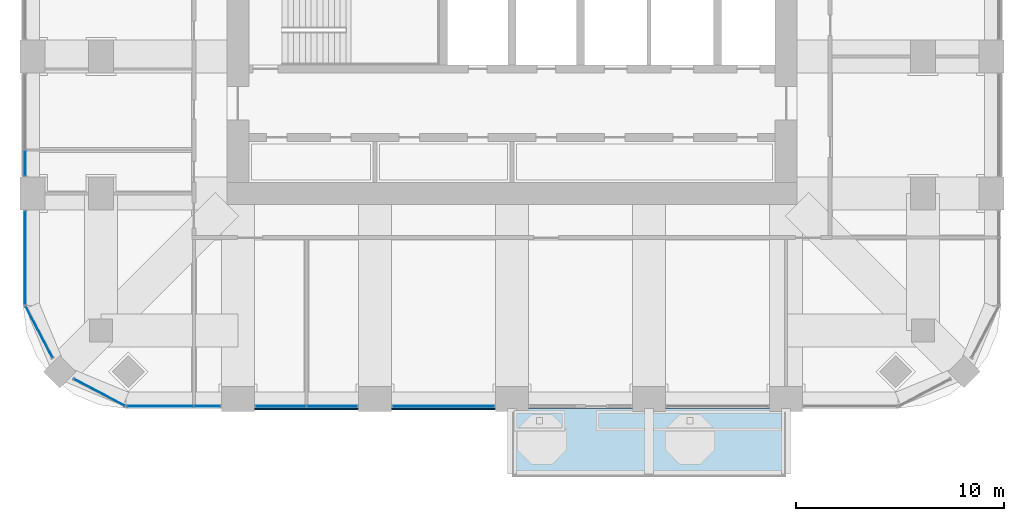
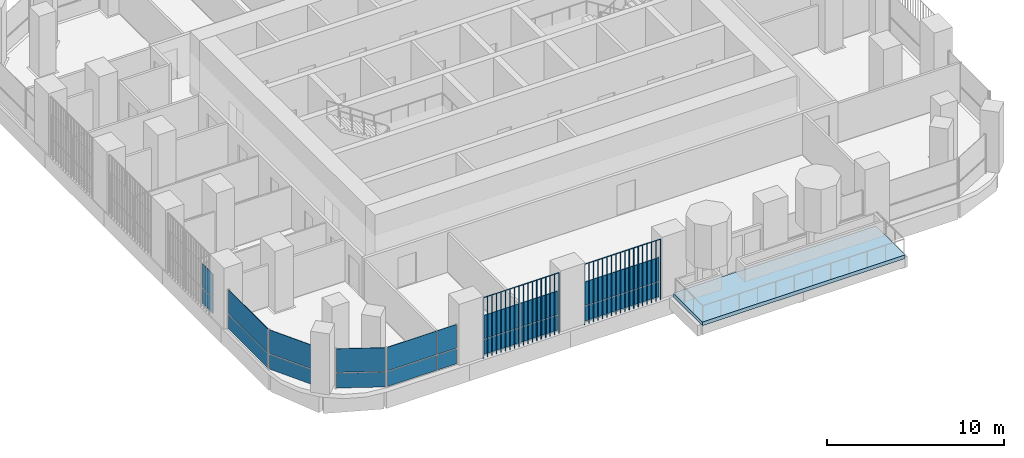
# One storey, part 8 of 19: 20 plates, 1 slab, 7 elements without a shape of their own.
"""IFC4 building model written with IfcOpenShell, lengths in metres."""

from ifc_helpers import new_model, si_unit, direction, frame, origin, origin_2d, place, context, subcontext, project, spatial, polyline, rectangle, outline, extrude, material, layer, layer_set, type_object, element, aggregate, save


model = new_model("IFC4")

# Units and contexts
model_context = context("Model", 3, precision=1e-05, world=origin(), true_north=direction((0.0, 1.0)))
body_context = subcontext(model_context, "Body", "Model", "MODEL_VIEW")
ifc_project = project(units=[si_unit("LENGTHUNIT", "METRE"), si_unit("AREAUNIT", "SQUARE_METRE"), si_unit("VOLUMEUNIT", "CUBIC_METRE"), si_unit("PLANEANGLEUNIT", "RADIAN"), si_unit("MASSUNIT", "GRAM", prefix="KILO")], contexts=[model_context])

# Site, building, storey
site_placement = place(None, origin())
site = spatial("IfcSite", under=ifc_project, at=site_placement, CompositionType="ELEMENT")
building_placement = place(site_placement, origin())
building = spatial("IfcBuilding", under=site, at=building_placement, Name="Cobogo Forest Laboratory Tower", CompositionType="ELEMENT")
storey_placement = place(building_placement, frame((0.0, 0.0, 206.10009765625)))
storey = spatial("IfcBuildingStorey", under=building, at=storey_placement, Name="L47", CompositionType="ELEMENT", Elevation=206.10009765625)

# Slab
ifc_material_1 = material(Name="Concrete HA-40 (C40/50)", Category="concrete")
ifc_layer_1 = layer(ifc_material_1, 0.25)
ifc_layer_set_1 = layer_set([ifc_layer_1], Name="Balcony slab 250")
slab_type = type_object("IfcSlabType", Name="Balcony slab 250", PredefinedType="FLOOR", material=ifc_layer_set_1)
slab_placement = place(storey_placement, frame((0.0, 0.0, -0.25)))
element("IfcSlab", 1, at=slab_placement, inside=storey, type_object=slab_type, Name="Balcony BAL-S1 L47", PredefinedType="FLOOR", context=body_context, shape_type="SweptSolid", body=[
    extrude(outline(polyline([(26.39990234375, -0.449951171875), (39.60009765625, -0.449951171875), (39.60009765625, 2.85009765625), (26.39990234375, 2.85009765625), (26.39990234375, -0.449951171875)])), origin(), (0.0, 0.0, 1.0), 0.25),
])

# Curtain wall, plates
ifc_material_2 = material(Name="Aluminium curtain wall", Category="aluminium")
curtain_wall_type = type_object("IfcCurtainWallType", Name="CW-2 unitised curtain wall, solar control glazing, laboratory floors zones C and D", PredefinedType="USERDEFINED", material=ifc_material_2)
curtain_wall_1_placement = place(storey_placement, origin())
curtain_wall_1 = element("IfcCurtainWall", 2, at=curtain_wall_1_placement, inside=storey, type_object=curtain_wall_type, Name="Curtain wall 01 L47", ObjectType="UNITISED CURTAIN WALL", PredefinedType="USERDEFINED")
ifc_material_3 = material(Name="Solar control insulated glass", Category="glass")
ifc_layer_2 = layer(ifc_material_3, 0.031982421875)
ifc_layer_set_2 = layer_set([ifc_layer_2], Name="GP-2 solar control glass unit 32")
plate_type_1 = type_object("IfcPlateType", Name="GP-2 solar control glass unit 32", PredefinedType="CURTAIN_PANEL", material=ifc_layer_set_2)
plate_1_placement = place(storey_placement, frame((9.452392578125, 2.949951171875, 0.0), z_axis=(0.0, 0.0, 1.0), x_axis=(1.0, 0.0, 0.0)))
plate_1 = element("IfcPlate", 3, at=plate_1_placement, type_object=plate_type_1, Name="CW-2 panel 1.1", PredefinedType="CURTAIN_PANEL", context=body_context, shape_type="SweptSolid", body=[
    extrude(rectangle(XDim=3.18505859375, YDim=0.031982421875, at=origin_2d()), origin(), (0.0, 0.0, 1.0), 1.02001953125),
])
plate_2_placement = place(storey_placement, frame((9.452392578125, 2.949951171875, 1.079833984375), z_axis=(0.0, 0.0, 1.0), x_axis=(1.0, 0.0, 0.0)))
plate_2 = element("IfcPlate", 4, at=plate_2_placement, type_object=plate_type_1, Name="CW-2 panel 1.2", PredefinedType="CURTAIN_PANEL", context=body_context, shape_type="SweptSolid", body=[
    extrude(rectangle(XDim=3.18505859375, YDim=0.031982421875, at=origin_2d()), origin(), (0.0, 0.0, 1.0), 1.6201171875),
])
plate_3_placement = place(storey_placement, frame((11.722412109375, 2.949951171875, 0.0), z_axis=(0.0, 0.0, 1.0), x_axis=(1.0, 0.0, 0.0)))
plate_3 = element("IfcPlate", 5, at=plate_3_placement, type_object=plate_type_1, Name="CW-2 panel 2.1", PredefinedType="CURTAIN_PANEL", context=body_context, shape_type="SweptSolid", body=[
    extrude(rectangle(XDim=1.235107421875, YDim=0.031982421875, at=origin_2d()), origin(), (0.0, 0.0, 1.0), 1.02001953125),
])
plate_4_placement = place(storey_placement, frame((11.722412109375, 2.949951171875, 1.079833984375), z_axis=(0.0, 0.0, 1.0), x_axis=(1.0, 0.0, 0.0)))
plate_4 = element("IfcPlate", 6, at=plate_4_placement, type_object=plate_type_1, Name="CW-2 panel 2.2", PredefinedType="CURTAIN_PANEL", context=body_context, shape_type="SweptSolid", body=[
    extrude(rectangle(XDim=1.235107421875, YDim=0.031982421875, at=origin_2d()), origin(), (0.0, 0.0, 1.0), 1.6201171875),
])
aggregate(curtain_wall_1, [plate_1, plate_2, plate_3, plate_4])

curtain_wall_2_placement = place(storey_placement, origin())
curtain_wall_2 = element("IfcCurtainWall", 7, at=curtain_wall_2_placement, inside=storey, type_object=curtain_wall_type, Name="Curtain wall 02 L47", ObjectType="UNITISED CURTAIN WALL", PredefinedType="USERDEFINED")
plate_5_placement = place(storey_placement, frame((15.264892578125, 2.949951171875, 0.0), z_axis=(0.0, 0.0, 1.0), x_axis=(1.0, 0.0, 0.0)))
plate_5 = element("IfcPlate", 8, at=plate_5_placement, type_object=plate_type_1, Name="CW-2 panel 1.1", PredefinedType="CURTAIN_PANEL", context=body_context, shape_type="SweptSolid", body=[
    extrude(rectangle(XDim=2.409912109375, YDim=0.031982421875, at=origin_2d()), origin(), (0.0, 0.0, 1.0), 1.02001953125),
])
plate_6_placement = place(storey_placement, frame((15.264892578125, 2.949951171875, 1.079833984375), z_axis=(0.0, 0.0, 1.0), x_axis=(1.0, 0.0, 0.0)))
plate_6 = element("IfcPlate", 9, at=plate_6_placement, type_object=plate_type_1, Name="CW-2 panel 1.2", PredefinedType="CURTAIN_PANEL", context=body_context, shape_type="SweptSolid", body=[
    extrude(rectangle(XDim=2.409912109375, YDim=0.031982421875, at=origin_2d()), origin(), (0.0, 0.0, 1.0), 1.6201171875),
])
plate_7_placement = place(storey_placement, frame((17.735107421875, 2.949951171875, 0.0), z_axis=(0.0, 0.0, 1.0), x_axis=(1.0, 0.0, 0.0)))
plate_7 = element("IfcPlate", 10, at=plate_7_placement, type_object=plate_type_1, Name="CW-2 panel 2.1", PredefinedType="CURTAIN_PANEL", context=body_context, shape_type="SweptSolid", body=[
    extrude(rectangle(XDim=2.409912109375, YDim=0.031982421875, at=origin_2d()), origin(), (0.0, 0.0, 1.0), 1.02001953125),
])
plate_8_placement = place(storey_placement, frame((17.735107421875, 2.949951171875, 1.079833984375), z_axis=(0.0, 0.0, 1.0), x_axis=(1.0, 0.0, 0.0)))
plate_8 = element("IfcPlate", 11, at=plate_8_placement, type_object=plate_type_1, Name="CW-2 panel 2.2", PredefinedType="CURTAIN_PANEL", context=body_context, shape_type="SweptSolid", body=[
    extrude(rectangle(XDim=2.409912109375, YDim=0.031982421875, at=origin_2d()), origin(), (0.0, 0.0, 1.0), 1.6201171875),
])
aggregate(curtain_wall_2, [plate_5, plate_6, plate_7, plate_8])

curtain_wall_3_placement = place(storey_placement, origin())
curtain_wall_3 = element("IfcCurtainWall", 12, at=curtain_wall_3_placement, inside=storey, type_object=curtain_wall_type, Name="Curtain wall 03 L47", ObjectType="UNITISED CURTAIN WALL", PredefinedType="USERDEFINED")
plate_9_placement = place(storey_placement, frame((23.10009765625, 2.949951171875, 0.0), z_axis=(0.0, 0.0, 1.0), x_axis=(1.0, 0.0, 0.0)))
plate_9 = element("IfcPlate", 13, at=plate_9_placement, type_object=plate_type_1, Name="CW-2 panel 1.1", PredefinedType="CURTAIN_PANEL", context=body_context, shape_type="SweptSolid", body=[
    extrude(rectangle(XDim=4.8798828125, YDim=0.031982421875, at=origin_2d()), origin(), (0.0, 0.0, 1.0), 1.02001953125),
])
plate_10_placement = place(storey_placement, frame((23.10009765625, 2.949951171875, 1.079833984375), z_axis=(0.0, 0.0, 1.0), x_axis=(1.0, 0.0, 0.0)))
plate_10 = element("IfcPlate", 14, at=plate_10_placement, type_object=plate_type_1, Name="CW-2 panel 1.2", PredefinedType="CURTAIN_PANEL", context=body_context, shape_type="SweptSolid", body=[
    extrude(rectangle(XDim=4.8798828125, YDim=0.031982421875, at=origin_2d()), origin(), (0.0, 0.0, 1.0), 1.6201171875),
])
aggregate(curtain_wall_3, [plate_9, plate_10])

curtain_wall_4_placement = place(storey_placement, origin())
curtain_wall_4 = element("IfcCurtainWall", 15, at=curtain_wall_4_placement, inside=storey, type_object=curtain_wall_type, Name="Curtain wall 27 L47", ObjectType="UNITISED CURTAIN WALL", PredefinedType="USERDEFINED")
plate_11_placement = place(storey_placement, frame((2.949951171875, 14.6650390625, 0.0), z_axis=(0.0, 0.0, 1.0), x_axis=(0.0, -1.0, 0.0)))
plate_11 = element("IfcPlate", 16, at=plate_11_placement, type_object=plate_type_1, Name="CW-2 panel 2.1", PredefinedType="CURTAIN_PANEL", context=body_context, shape_type="SweptSolid", body=[
    extrude(rectangle(XDim=1.2099609375, YDim=0.031982421875, at=origin_2d()), origin(), (0.0, 0.0, 1.0), 1.02001953125),
])
plate_12_placement = place(storey_placement, frame((2.949951171875, 14.6650390625, 1.079833984375), z_axis=(0.0, 0.0, 1.0), x_axis=(0.0, -1.0, 0.0)))
plate_12 = element("IfcPlate", 17, at=plate_12_placement, type_object=plate_type_1, Name="CW-2 panel 2.2", PredefinedType="CURTAIN_PANEL", context=body_context, shape_type="SweptSolid", body=[
    extrude(rectangle(XDim=1.2099609375, YDim=0.031982421875, at=origin_2d()), origin(), (0.0, 0.0, 1.0), 1.6201171875),
])
aggregate(curtain_wall_4, [plate_11, plate_12])

curtain_wall_5_placement = place(storey_placement, origin())
curtain_wall_5 = element("IfcCurtainWall", 18, at=curtain_wall_5_placement, inside=storey, type_object=curtain_wall_type, Name="Curtain wall 28 L47", ObjectType="UNITISED CURTAIN WALL", PredefinedType="USERDEFINED")
plate_13_placement = place(storey_placement, frame((2.949951171875, 10.10009765625, 0.0), z_axis=(0.0, 0.0, 1.0), x_axis=(0.0, -1.0, 0.0)))
plate_13 = element("IfcPlate", 19, at=plate_13_placement, type_object=plate_type_1, Name="CW-2 panel 1.1", PredefinedType="CURTAIN_PANEL", context=body_context, shape_type="SweptSolid", body=[
    extrude(rectangle(XDim=4.47998046875, YDim=0.031982421875, at=origin_2d()), origin(), (0.0, 0.0, 1.0), 1.02001953125),
])
plate_14_placement = place(storey_placement, frame((2.949951171875, 10.10009765625, 1.079833984375), z_axis=(0.0, 0.0, 1.0), x_axis=(0.0, -1.0, 0.0)))
plate_14 = element("IfcPlate", 20, at=plate_14_placement, type_object=plate_type_1, Name="CW-2 panel 1.2", PredefinedType="CURTAIN_PANEL", context=body_context, shape_type="SweptSolid", body=[
    extrude(rectangle(XDim=4.47998046875, YDim=0.031982421875, at=origin_2d()), origin(), (0.0, 0.0, 1.0), 1.6201171875),
])
aggregate(curtain_wall_5, [plate_13, plate_14])

curtain_wall_6_placement = place(storey_placement, origin())
curtain_wall_6 = element("IfcCurtainWall", 21, at=curtain_wall_6_placement, inside=storey, type_object=curtain_wall_type, Name="Curtain wall 29 L47", ObjectType="UNITISED CURTAIN WALL", PredefinedType="USERDEFINED")
plate_15_placement = place(storey_placement, frame((3.61865234375, 6.5244140625, 0.0), z_axis=(0.0, 0.0, 1.0), x_axis=(0.464283804832, -0.885686484356, 0.0)))
plate_15 = element("IfcPlate", 22, at=plate_15_placement, type_object=plate_type_1, Name="CW-2 panel 1.1", PredefinedType="CURTAIN_PANEL", context=body_context, shape_type="SweptSolid", body=[
    extrude(rectangle(XDim=2.76025390625, YDim=0.031982421875, at=origin_2d()), origin(), (0.0, 0.0, 1.0), 1.02001953125),
])
plate_16_placement = place(storey_placement, frame((3.61865234375, 6.5244140625, 1.079833984375), z_axis=(0.0, 0.0, 1.0), x_axis=(0.464283804832, -0.885686484356, 0.0)))
plate_16 = element("IfcPlate", 23, at=plate_16_placement, type_object=plate_type_1, Name="CW-2 panel 1.2", PredefinedType="CURTAIN_PANEL", context=body_context, shape_type="SweptSolid", body=[
    extrude(rectangle(XDim=2.76025390625, YDim=0.031982421875, at=origin_2d()), origin(), (0.0, 0.0, 1.0), 1.6201171875),
])
aggregate(curtain_wall_6, [plate_15, plate_16])

curtain_wall_7_placement = place(storey_placement, origin())
curtain_wall_7 = element("IfcCurtainWall", 24, at=curtain_wall_7_placement, inside=storey, type_object=curtain_wall_type, Name="Curtain wall 30 L47", ObjectType="UNITISED CURTAIN WALL", PredefinedType="USERDEFINED")
plate_17_placement = place(storey_placement, frame((6.5244140625, 3.61865234375, 0.0), z_axis=(0.0, 0.0, 1.0), x_axis=(0.885686484356, -0.464283804832, 0.0)))
plate_17 = element("IfcPlate", 25, at=plate_17_placement, type_object=plate_type_1, Name="CW-2 panel 1.1", PredefinedType="CURTAIN_PANEL", context=body_context, shape_type="SweptSolid", body=[
    extrude(rectangle(XDim=2.76025390625, YDim=0.031982421875, at=origin_2d()), origin(), (0.0, 0.0, 1.0), 1.02001953125),
])
plate_18_placement = place(storey_placement, frame((6.5244140625, 3.61865234375, 1.079833984375), z_axis=(0.0, 0.0, 1.0), x_axis=(0.885686484356, -0.464283804832, 0.0)))
plate_18 = element("IfcPlate", 26, at=plate_18_placement, type_object=plate_type_1, Name="CW-2 panel 1.2", PredefinedType="CURTAIN_PANEL", context=body_context, shape_type="SweptSolid", body=[
    extrude(rectangle(XDim=2.76025390625, YDim=0.031982421875, at=origin_2d()), origin(), (0.0, 0.0, 1.0), 1.6201171875),
])
aggregate(curtain_wall_7, [plate_17, plate_18])

# Plates
ifc_material_4 = material(Name="Terracotta", Category="masonry")
plate_type_2 = type_object("IfcPlateType", Name="TB1 terracotta baguette screen", PredefinedType="USERDEFINED", material=ifc_material_4)
plate_19_placement = place(storey_placement, frame((14.03125, 2.822021484375, -0.150146484375)))
element("IfcPlate", 27, at=plate_19_placement, inside=storey, type_object=plate_type_2, Name="Baguette screen S1 L47", ObjectType="BAGUETTE SCREEN", PredefinedType="USERDEFINED", context=body_context, shape_type="SweptSolid", body=[
    extrude(outline(polyline([(0.02880859375, 0.011962890625), (0.011962890625, 0.02880859375), (-0.011962890625, 0.02880859375), (-0.02880859375, 0.011962890625), (-0.02880859375, -0.011962890625), (-0.011962890625, -0.02880859375), (0.011962890625, -0.02880859375), (0.02880859375, -0.011962890625), (0.02880859375, 0.011962890625)])), frame((0.0, 0.0, 4.168701171875), z_axis=(1.0, 0.0, 0.0), x_axis=(0.0, 1.0, 0.0)), (0.0, 0.0, 1.0), 4.9375),
    extrude(outline(polyline([(0.02880859375, 0.011962890625), (0.011962890625, 0.02880859375), (-0.011962890625, 0.02880859375), (-0.02880859375, 0.011962890625), (-0.02880859375, -0.011962890625), (-0.011962890625, -0.02880859375), (0.011962890625, -0.02880859375), (0.02880859375, -0.011962890625), (0.02880859375, 0.011962890625)])), origin(), (0.0, 0.0, 1.0), 4.137451171875),
    extrude(outline(polyline([(0.02880859375, 0.011962890625), (0.011962890625, 0.02880859375), (-0.011962890625, 0.02880859375), (-0.02880859375, 0.011962890625), (-0.02880859375, -0.011962890625), (-0.011962890625, -0.02880859375), (0.011962890625, -0.02880859375), (0.02880859375, -0.011962890625), (0.02880859375, 0.011962890625)])), frame((0.29052734375, 0.0, 0.0)), (0.0, 0.0, 1.0), 4.137451171875),
    extrude(outline(polyline([(0.02880859375, 0.011962890625), (0.011962890625, 0.02880859375), (-0.011962890625, 0.02880859375), (-0.02880859375, 0.011962890625), (-0.02880859375, -0.011962890625), (-0.011962890625, -0.02880859375), (0.011962890625, -0.02880859375), (0.02880859375, -0.011962890625), (0.02880859375, 0.011962890625)])), frame((0.580810546875, 0.0, 0.0)), (0.0, 0.0, 1.0), 4.137451171875),
    extrude(outline(polyline([(0.02880859375, 0.011962890625), (0.011962890625, 0.02880859375), (-0.011962890625, 0.02880859375), (-0.02880859375, 0.011962890625), (-0.02880859375, -0.011962890625), (-0.011962890625, -0.02880859375), (0.011962890625, -0.02880859375), (0.02880859375, -0.011962890625), (0.02880859375, 0.011962890625)])), frame((0.871337890625, 0.0, 0.0)), (0.0, 0.0, 1.0), 4.137451171875),
    extrude(outline(polyline([(0.02880859375, 0.011962890625), (0.011962890625, 0.02880859375), (-0.011962890625, 0.02880859375), (-0.02880859375, 0.011962890625), (-0.02880859375, -0.011962890625), (-0.011962890625, -0.02880859375), (0.011962890625, -0.02880859375), (0.02880859375, -0.011962890625), (0.02880859375, 0.011962890625)])), frame((1.161865234375, 0.0, 0.0)), (0.0, 0.0, 1.0), 4.137451171875),
    extrude(outline(polyline([(0.02880859375, 0.011962890625), (0.011962890625, 0.02880859375), (-0.011962890625, 0.02880859375), (-0.02880859375, 0.011962890625), (-0.02880859375, -0.011962890625), (-0.011962890625, -0.02880859375), (0.011962890625, -0.02880859375), (0.02880859375, -0.011962890625), (0.02880859375, 0.011962890625)])), frame((1.4521484375, 0.0, 0.0)), (0.0, 0.0, 1.0), 4.137451171875),
    extrude(outline(polyline([(0.02880859375, 0.011962890625), (0.011962890625, 0.02880859375), (-0.011962890625, 0.02880859375), (-0.02880859375, 0.011962890625), (-0.02880859375, -0.011962890625), (-0.011962890625, -0.02880859375), (0.011962890625, -0.02880859375), (0.02880859375, -0.011962890625), (0.02880859375, 0.011962890625)])), frame((1.74267578125, 0.0, 0.0)), (0.0, 0.0, 1.0), 4.137451171875),
    extrude(outline(polyline([(0.02880859375, 0.011962890625), (0.011962890625, 0.02880859375), (-0.011962890625, 0.02880859375), (-0.02880859375, 0.011962890625), (-0.02880859375, -0.011962890625), (-0.011962890625, -0.02880859375), (0.011962890625, -0.02880859375), (0.02880859375, -0.011962890625), (0.02880859375, 0.011962890625)])), frame((2.033203125, 0.0, 0.0)), (0.0, 0.0, 1.0), 4.137451171875),
    extrude(outline(polyline([(0.02880859375, 0.011962890625), (0.011962890625, 0.02880859375), (-0.011962890625, 0.02880859375), (-0.02880859375, 0.011962890625), (-0.02880859375, -0.011962890625), (-0.011962890625, -0.02880859375), (0.011962890625, -0.02880859375), (0.02880859375, -0.011962890625), (0.02880859375, 0.011962890625)])), frame((2.323486328125, 0.0, 0.0)), (0.0, 0.0, 1.0), 4.137451171875),
    extrude(outline(polyline([(0.02880859375, 0.011962890625), (0.011962890625, 0.02880859375), (-0.011962890625, 0.02880859375), (-0.02880859375, 0.011962890625), (-0.02880859375, -0.011962890625), (-0.011962890625, -0.02880859375), (0.011962890625, -0.02880859375), (0.02880859375, -0.011962890625), (0.02880859375, 0.011962890625)])), frame((2.614013671875, 0.0, 0.0)), (0.0, 0.0, 1.0), 4.137451171875),
    extrude(outline(polyline([(0.02880859375, 0.011962890625), (0.011962890625, 0.02880859375), (-0.011962890625, 0.02880859375), (-0.02880859375, 0.011962890625), (-0.02880859375, -0.011962890625), (-0.011962890625, -0.02880859375), (0.011962890625, -0.02880859375), (0.02880859375, -0.011962890625), (0.02880859375, 0.011962890625)])), frame((2.904296875, 0.0, 0.0)), (0.0, 0.0, 1.0), 4.137451171875),
    extrude(outline(polyline([(0.02880859375, 0.011962890625), (0.011962890625, 0.02880859375), (-0.011962890625, 0.02880859375), (-0.02880859375, 0.011962890625), (-0.02880859375, -0.011962890625), (-0.011962890625, -0.02880859375), (0.011962890625, -0.02880859375), (0.02880859375, -0.011962890625), (0.02880859375, 0.011962890625)])), frame((3.19482421875, 0.0, 0.0)), (0.0, 0.0, 1.0), 4.137451171875),
    extrude(outline(polyline([(0.02880859375, 0.011962890625), (0.011962890625, 0.02880859375), (-0.011962890625, 0.02880859375), (-0.02880859375, 0.011962890625), (-0.02880859375, -0.011962890625), (-0.011962890625, -0.02880859375), (0.011962890625, -0.02880859375), (0.02880859375, -0.011962890625), (0.02880859375, 0.011962890625)])), frame((3.4853515625, 0.0, 0.0)), (0.0, 0.0, 1.0), 4.137451171875),
    extrude(outline(polyline([(0.02880859375, 0.011962890625), (0.011962890625, 0.02880859375), (-0.011962890625, 0.02880859375), (-0.02880859375, 0.011962890625), (-0.02880859375, -0.011962890625), (-0.011962890625, -0.02880859375), (0.011962890625, -0.02880859375), (0.02880859375, -0.011962890625), (0.02880859375, 0.011962890625)])), frame((3.775634765625, 0.0, 0.0)), (0.0, 0.0, 1.0), 4.137451171875),
    extrude(outline(polyline([(0.02880859375, 0.011962890625), (0.011962890625, 0.02880859375), (-0.011962890625, 0.02880859375), (-0.02880859375, 0.011962890625), (-0.02880859375, -0.011962890625), (-0.011962890625, -0.02880859375), (0.011962890625, -0.02880859375), (0.02880859375, -0.011962890625), (0.02880859375, 0.011962890625)])), frame((4.066162109375, 0.0, 0.0)), (0.0, 0.0, 1.0), 4.137451171875),
    extrude(outline(polyline([(0.02880859375, 0.011962890625), (0.011962890625, 0.02880859375), (-0.011962890625, 0.02880859375), (-0.02880859375, 0.011962890625), (-0.02880859375, -0.011962890625), (-0.011962890625, -0.02880859375), (0.011962890625, -0.02880859375), (0.02880859375, -0.011962890625), (0.02880859375, 0.011962890625)])), frame((4.356689453125, 0.0, 0.0)), (0.0, 0.0, 1.0), 4.137451171875),
    extrude(outline(polyline([(0.02880859375, 0.011962890625), (0.011962890625, 0.02880859375), (-0.011962890625, 0.02880859375), (-0.02880859375, 0.011962890625), (-0.02880859375, -0.011962890625), (-0.011962890625, -0.02880859375), (0.011962890625, -0.02880859375), (0.02880859375, -0.011962890625), (0.02880859375, 0.011962890625)])), frame((4.64697265625, 0.0, 0.0)), (0.0, 0.0, 1.0), 4.137451171875),
    extrude(outline(polyline([(0.02880859375, 0.011962890625), (0.011962890625, 0.02880859375), (-0.011962890625, 0.02880859375), (-0.02880859375, 0.011962890625), (-0.02880859375, -0.011962890625), (-0.011962890625, -0.02880859375), (0.011962890625, -0.02880859375), (0.02880859375, -0.011962890625), (0.02880859375, 0.011962890625)])), frame((4.9375, 0.0, 0.0)), (0.0, 0.0, 1.0), 4.137451171875),
])
plate_20_placement = place(storey_placement, frame((20.63134765625, 2.822021484375, -0.150146484375)))
element("IfcPlate", 28, at=plate_20_placement, inside=storey, type_object=plate_type_2, Name="Baguette screen S2 L47", ObjectType="BAGUETTE SCREEN", PredefinedType="USERDEFINED", context=body_context, shape_type="SweptSolid", body=[
    extrude(outline(polyline([(0.02880859375, 0.011962890625), (0.011962890625, 0.02880859375), (-0.011962890625, 0.02880859375), (-0.02880859375, 0.011962890625), (-0.02880859375, -0.011962890625), (-0.011962890625, -0.02880859375), (0.011962890625, -0.02880859375), (0.02880859375, -0.011962890625), (0.02880859375, 0.011962890625)])), frame((0.0, 0.0, 4.168701171875), z_axis=(1.0, 0.0, 0.0), x_axis=(0.0, 1.0, 0.0)), (0.0, 0.0, 1.0), 4.9375),
    extrude(outline(polyline([(0.02880859375, 0.011962890625), (0.011962890625, 0.02880859375), (-0.011962890625, 0.02880859375), (-0.02880859375, 0.011962890625), (-0.02880859375, -0.011962890625), (-0.011962890625, -0.02880859375), (0.011962890625, -0.02880859375), (0.02880859375, -0.011962890625), (0.02880859375, 0.011962890625)])), origin(), (0.0, 0.0, 1.0), 4.137451171875),
    extrude(outline(polyline([(0.02880859375, 0.011962890625), (0.011962890625, 0.02880859375), (-0.011962890625, 0.02880859375), (-0.02880859375, 0.011962890625), (-0.02880859375, -0.011962890625), (-0.011962890625, -0.02880859375), (0.011962890625, -0.02880859375), (0.02880859375, -0.011962890625), (0.02880859375, 0.011962890625)])), frame((0.29052734375, 0.0, 0.0)), (0.0, 0.0, 1.0), 4.137451171875),
    extrude(outline(polyline([(0.02880859375, 0.011962890625), (0.011962890625, 0.02880859375), (-0.011962890625, 0.02880859375), (-0.02880859375, 0.011962890625), (-0.02880859375, -0.011962890625), (-0.011962890625, -0.02880859375), (0.011962890625, -0.02880859375), (0.02880859375, -0.011962890625), (0.02880859375, 0.011962890625)])), frame((0.580810546875, 0.0, 0.0)), (0.0, 0.0, 1.0), 4.137451171875),
    extrude(outline(polyline([(0.02880859375, 0.011962890625), (0.011962890625, 0.02880859375), (-0.011962890625, 0.02880859375), (-0.02880859375, 0.011962890625), (-0.02880859375, -0.011962890625), (-0.011962890625, -0.02880859375), (0.011962890625, -0.02880859375), (0.02880859375, -0.011962890625), (0.02880859375, 0.011962890625)])), frame((0.871337890625, 0.0, 0.0)), (0.0, 0.0, 1.0), 4.137451171875),
    extrude(outline(polyline([(0.02880859375, 0.011962890625), (0.011962890625, 0.02880859375), (-0.011962890625, 0.02880859375), (-0.02880859375, 0.011962890625), (-0.02880859375, -0.011962890625), (-0.011962890625, -0.02880859375), (0.011962890625, -0.02880859375), (0.02880859375, -0.011962890625), (0.02880859375, 0.011962890625)])), frame((1.161865234375, 0.0, 0.0)), (0.0, 0.0, 1.0), 4.137451171875),
    extrude(outline(polyline([(0.02880859375, 0.011962890625), (0.011962890625, 0.02880859375), (-0.011962890625, 0.02880859375), (-0.02880859375, 0.011962890625), (-0.02880859375, -0.011962890625), (-0.011962890625, -0.02880859375), (0.011962890625, -0.02880859375), (0.02880859375, -0.011962890625), (0.02880859375, 0.011962890625)])), frame((1.4521484375, 0.0, 0.0)), (0.0, 0.0, 1.0), 4.137451171875),
    extrude(outline(polyline([(0.02880859375, 0.011962890625), (0.011962890625, 0.02880859375), (-0.011962890625, 0.02880859375), (-0.02880859375, 0.011962890625), (-0.02880859375, -0.011962890625), (-0.011962890625, -0.02880859375), (0.011962890625, -0.02880859375), (0.02880859375, -0.011962890625), (0.02880859375, 0.011962890625)])), frame((1.74267578125, 0.0, 0.0)), (0.0, 0.0, 1.0), 4.137451171875),
    extrude(outline(polyline([(0.02880859375, 0.011962890625), (0.011962890625, 0.02880859375), (-0.011962890625, 0.02880859375), (-0.02880859375, 0.011962890625), (-0.02880859375, -0.011962890625), (-0.011962890625, -0.02880859375), (0.011962890625, -0.02880859375), (0.02880859375, -0.011962890625), (0.02880859375, 0.011962890625)])), frame((2.033203125, 0.0, 0.0)), (0.0, 0.0, 1.0), 4.137451171875),
    extrude(outline(polyline([(0.02880859375, 0.011962890625), (0.011962890625, 0.02880859375), (-0.011962890625, 0.02880859375), (-0.02880859375, 0.011962890625), (-0.02880859375, -0.011962890625), (-0.011962890625, -0.02880859375), (0.011962890625, -0.02880859375), (0.02880859375, -0.011962890625), (0.02880859375, 0.011962890625)])), frame((2.323486328125, 0.0, 0.0)), (0.0, 0.0, 1.0), 4.137451171875),
    extrude(outline(polyline([(0.02880859375, 0.011962890625), (0.011962890625, 0.02880859375), (-0.011962890625, 0.02880859375), (-0.02880859375, 0.011962890625), (-0.02880859375, -0.011962890625), (-0.011962890625, -0.02880859375), (0.011962890625, -0.02880859375), (0.02880859375, -0.011962890625), (0.02880859375, 0.011962890625)])), frame((2.614013671875, 0.0, 0.0)), (0.0, 0.0, 1.0), 4.137451171875),
    extrude(outline(polyline([(0.02880859375, 0.011962890625), (0.011962890625, 0.02880859375), (-0.011962890625, 0.02880859375), (-0.02880859375, 0.011962890625), (-0.02880859375, -0.011962890625), (-0.011962890625, -0.02880859375), (0.011962890625, -0.02880859375), (0.02880859375, -0.011962890625), (0.02880859375, 0.011962890625)])), frame((2.904296875, 0.0, 0.0)), (0.0, 0.0, 1.0), 4.137451171875),
    extrude(outline(polyline([(0.02880859375, 0.011962890625), (0.011962890625, 0.02880859375), (-0.011962890625, 0.02880859375), (-0.02880859375, 0.011962890625), (-0.02880859375, -0.011962890625), (-0.011962890625, -0.02880859375), (0.011962890625, -0.02880859375), (0.02880859375, -0.011962890625), (0.02880859375, 0.011962890625)])), frame((3.19482421875, 0.0, 0.0)), (0.0, 0.0, 1.0), 4.137451171875),
    extrude(outline(polyline([(0.02880859375, 0.011962890625), (0.011962890625, 0.02880859375), (-0.011962890625, 0.02880859375), (-0.02880859375, 0.011962890625), (-0.02880859375, -0.011962890625), (-0.011962890625, -0.02880859375), (0.011962890625, -0.02880859375), (0.02880859375, -0.011962890625), (0.02880859375, 0.011962890625)])), frame((3.4853515625, 0.0, 0.0)), (0.0, 0.0, 1.0), 4.137451171875),
    extrude(outline(polyline([(0.02880859375, 0.011962890625), (0.011962890625, 0.02880859375), (-0.011962890625, 0.02880859375), (-0.02880859375, 0.011962890625), (-0.02880859375, -0.011962890625), (-0.011962890625, -0.02880859375), (0.011962890625, -0.02880859375), (0.02880859375, -0.011962890625), (0.02880859375, 0.011962890625)])), frame((3.775634765625, 0.0, 0.0)), (0.0, 0.0, 1.0), 4.137451171875),
    extrude(outline(polyline([(0.02880859375, 0.011962890625), (0.011962890625, 0.02880859375), (-0.011962890625, 0.02880859375), (-0.02880859375, 0.011962890625), (-0.02880859375, -0.011962890625), (-0.011962890625, -0.02880859375), (0.011962890625, -0.02880859375), (0.02880859375, -0.011962890625), (0.02880859375, 0.011962890625)])), frame((4.066162109375, 0.0, 0.0)), (0.0, 0.0, 1.0), 4.137451171875),
    extrude(outline(polyline([(0.02880859375, 0.011962890625), (0.011962890625, 0.02880859375), (-0.011962890625, 0.02880859375), (-0.02880859375, 0.011962890625), (-0.02880859375, -0.011962890625), (-0.011962890625, -0.02880859375), (0.011962890625, -0.02880859375), (0.02880859375, -0.011962890625), (0.02880859375, 0.011962890625)])), frame((4.356689453125, 0.0, 0.0)), (0.0, 0.0, 1.0), 4.137451171875),
    extrude(outline(polyline([(0.02880859375, 0.011962890625), (0.011962890625, 0.02880859375), (-0.011962890625, 0.02880859375), (-0.02880859375, 0.011962890625), (-0.02880859375, -0.011962890625), (-0.011962890625, -0.02880859375), (0.011962890625, -0.02880859375), (0.02880859375, -0.011962890625), (0.02880859375, 0.011962890625)])), frame((4.64697265625, 0.0, 0.0)), (0.0, 0.0, 1.0), 4.137451171875),
    extrude(outline(polyline([(0.02880859375, 0.011962890625), (0.011962890625, 0.02880859375), (-0.011962890625, 0.02880859375), (-0.02880859375, 0.011962890625), (-0.02880859375, -0.011962890625), (-0.011962890625, -0.02880859375), (0.011962890625, -0.02880859375), (0.02880859375, -0.011962890625), (0.02880859375, 0.011962890625)])), frame((4.9375, 0.0, 0.0)), (0.0, 0.0, 1.0), 4.137451171875),
])

save(model, "model.ifc")
